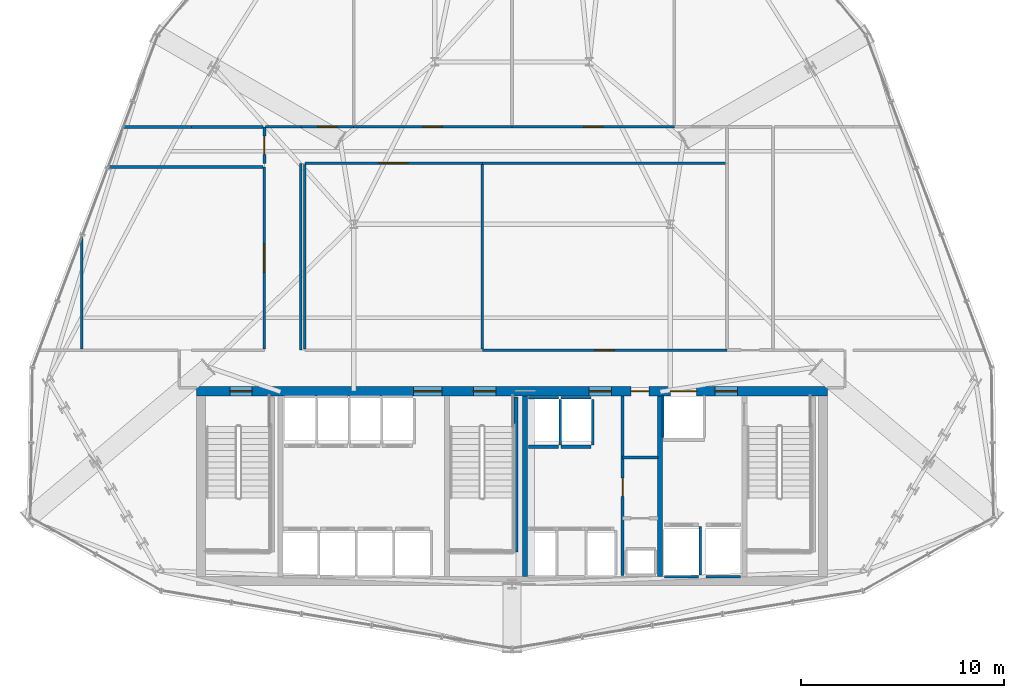
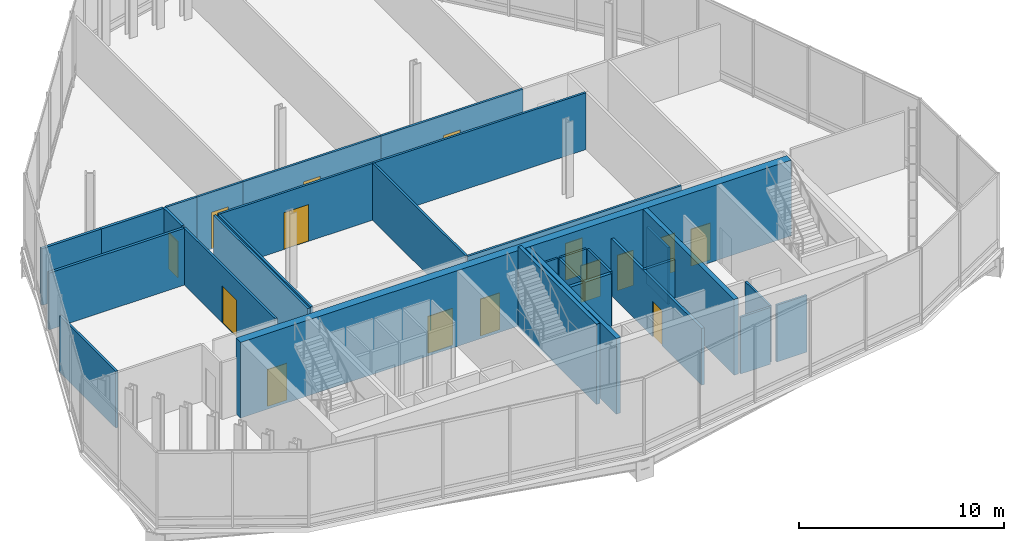
# One storey, part 22 of 26: 32 walls, 15 doors, 15 openings.
"""IFC4 building model written with IfcOpenShell, lengths in metres."""

from ifc_helpers import new_model, si_unit, direction, frame, frame_2d, origin, place, context, subcontext, project, spatial, rectangle, extrude, material, layer, layer_set, type_object, element, fill, save


model = new_model("IFC4")

# Units and contexts
model_context = context("Model", 3, precision=1e-05, world=origin(), true_north=direction((0.0, 1.0)))
body_context = subcontext(model_context, "Body", "Model", "MODEL_VIEW")
ifc_project = project(units=[si_unit("LENGTHUNIT", "METRE"), si_unit("AREAUNIT", "SQUARE_METRE"), si_unit("VOLUMEUNIT", "CUBIC_METRE"), si_unit("PLANEANGLEUNIT", "RADIAN"), si_unit("MASSUNIT", "GRAM", prefix="KILO")], contexts=[model_context])

# Site, building, storey
site_placement = place(None, origin())
site = spatial("IfcSite", under=ifc_project, at=site_placement, CompositionType="ELEMENT")
building_placement = place(site_placement, origin())
building = spatial("IfcBuilding", under=site, at=building_placement, Name="Ndaravel Arena Tower", CompositionType="ELEMENT")
storey_placement = place(building_placement, frame((0.0, 0.0, 117.39990234375)))
storey = spatial("IfcBuildingStorey", under=building, at=storey_placement, Name="L27", CompositionType="ELEMENT", Elevation=117.39990234375)

# Wall, opening, door
ifc_material_1 = material(Name="Gypsum", Category="gypsum")
ifc_layer_1 = layer(ifc_material_1, 0.14990234375)
ifc_layer_set_1 = layer_set([ifc_layer_1], Name="Gypsum")
wall_type_1 = type_object("IfcWallType", Name="WALL-COMP-150", PredefinedType="PARTITIONING", material=ifc_layer_set_1)
wall_1_placement = place(storey_placement, frame((47.449951171875, 5.89990234375, 0.0), z_axis=(0.0, 0.0, 1.0), x_axis=(0.0, 1.0, 0.0)))
wall_1 = element("IfcWall", 1, at=wall_1_placement, inside=storey, type_object=wall_type_1, Name="L27 Core Riser Bay Partition", PredefinedType="PARTITIONING", context=body_context, shape_type="SweptSolid", body=[
    extrude(rectangle(XDim=8.85009765625, YDim=0.14990234375, at=frame_2d((4.425048828125, 0.0))), origin(), (0.0, 0.0, 1.0), 3.39013671875),
])
opening_1_placement = place(wall_1_placement, frame((3.89990234375, 0.0, 0.0)))
opening_1 = element("IfcOpeningElement", 2, at=opening_1_placement, cuts=wall_1, Name="Opening RD-01", PredefinedType="OPENING", context=body_context, shape_type="SweptSolid", body=[
    extrude(rectangle(XDim=0.89990234375, YDim=2.10009765625, at=frame_2d((0.449951171875, 1.050048828125))), frame((0.0, 0.074951171875, 0.0), z_axis=(0.0, -1.0, 0.0), x_axis=(1.0, 0.0, 0.0)), (0.0, 0.0, 1.0), 0.14990234375),
])
ifc_material_2 = material(Name="Steel S355", Category="steel")
door_type_1 = type_object("IfcDoorType", Name="DT-08-RISER-900", OperationType="SINGLE_SWING_LEFT", PredefinedType="DOOR", material=ifc_material_2)
door_1_placement = place(opening_1_placement, origin())
door_1 = element("IfcDoor", 3, at=door_1_placement, inside=storey, type_object=door_type_1, Name="L27 Plumbing Riser Door", OperationType="SINGLE_SWING_LEFT", OverallHeight=2.10009765625, OverallWidth=0.89990234375, PredefinedType="DOOR", context=body_context, shape_type="SweptSolid", body=[
    extrude(rectangle(XDim=0.89990234375, YDim=2.10009765625, at=frame_2d((0.449951171875, 1.050048828125))), frame((0.0, 0.02490234375, 0.0), z_axis=(0.0, -1.0, 0.0), x_axis=(1.0, 0.0, 0.0)), (0.0, 0.0, 1.0), 0.050048828125),
])
fill(opening_1, door_1)

# Walls
wall_2_placement = place(storey_placement, frame((47.449951171875, 11.719970703125, 0.0), z_axis=(0.0, 0.0, 1.0), x_axis=(1.0, 0.0, 0.0)))
element("IfcWall", 4, at=wall_2_placement, inside=storey, type_object=wall_type_1, Name="L27 Core Riser Divider 2", PredefinedType="PARTITIONING", context=body_context, shape_type="SweptSolid", body=[
    extrude(rectangle(XDim=1.72998046875, YDim=0.14990234375, at=frame_2d((0.864990234375, 0.0))), origin(), (0.0, 0.0, 1.0), 3.39013671875),
])
ifc_material_3 = material(Name="Concrete C60/75", Category="concrete")
ifc_layer_2 = layer(ifc_material_3, 0.25)
ifc_layer_set_2 = layer_set([ifc_layer_2], Name="Concrete C60/75")
wall_type_2 = type_object("IfcWallType", Name="WALL-CORE-250", PredefinedType="SOLIDWALL", material=ifc_layer_set_2)
for number, where, z_axis, x_axis, name in (
    (5, (42.64990234375, 5.85009765625, 0.0), (0.0, 0.0, 1.0), (0.0, 1.0, 0.0), "L27 Core Web Shear Wall 3"),
    (6, (49.300048828125, 5.85009765625, 0.0), (0.0, 0.0, 1.0), (0.0, 1.0, 0.0), "L27 Core Web Shear Wall 4"),
):
    element("IfcWall", number, at=place(storey_placement, frame(where, z_axis=z_axis, x_axis=x_axis)), inside=storey, type_object=wall_type_2, Name=name, PredefinedType="SOLIDWALL", context=body_context, shape_type="SweptSolid", body=[
        extrude(rectangle(XDim=8.89990234375, YDim=0.25, at=frame_2d((4.449951171875, 0.0))), origin(), (0.0, 0.0, 1.0), 4.52001953125),
    ])

# Wall, openings, doors
ifc_material_4 = material(Name="Concrete C60/75", Category="concrete")
ifc_layer_3 = layer(ifc_material_4, 0.449951171875)
ifc_layer_set_3 = layer_set([ifc_layer_3], Name="Concrete C60/75")
wall_type_3 = type_object("IfcWallType", Name="WALL-CORE-450", PredefinedType="SOLIDWALL", material=ifc_layer_set_3)
wall_3_placement = place(storey_placement, frame((26.449951171875, 14.97509765625, 0.0), z_axis=(0.0, 0.0, 1.0), x_axis=(1.0, 0.0, 0.0)))
wall_3 = element("IfcWall", 7, at=wall_3_placement, inside=storey, type_object=wall_type_3, Name="L27 Core North Shear Wall", PredefinedType="SOLIDWALL", context=body_context, shape_type="SweptSolid", body=[
    extrude(rectangle(XDim=31.10009765625, YDim=0.449951171875, at=frame_2d((15.550048828125, 0.0))), origin(), (0.0, 0.0, 1.0), 4.52001953125),
])
opening_2_placement = place(wall_3_placement, frame((1.64990234375, 0.0, 0.0)))
opening_2 = element("IfcOpeningElement", 8, at=opening_2_placement, cuts=wall_3, Name="Opening FD-01", PredefinedType="OPENING", context=body_context, shape_type="SweptSolid", body=[
    extrude(rectangle(XDim=1.10009765625, YDim=2.199951171875, at=frame_2d((0.550048828125, 1.10009765625))), frame((0.0, 0.22509765625, 0.0), z_axis=(0.0, -1.0, 0.0), x_axis=(1.0, 0.0, 0.0)), (0.0, 0.0, 1.0), 0.449951171875),
])
opening_3_placement = place(wall_3_placement, frame((13.64990234375, 0.0, 0.0)))
opening_3 = element("IfcOpeningElement", 9, at=opening_3_placement, cuts=wall_3, Name="Opening FD-01", PredefinedType="OPENING", context=body_context, shape_type="SweptSolid", body=[
    extrude(rectangle(XDim=1.10009765625, YDim=2.199951171875, at=frame_2d((0.550048828125, 1.10009765625))), frame((0.0, 0.22509765625, 0.0), z_axis=(0.0, -1.0, 0.0), x_axis=(1.0, 0.0, 0.0)), (0.0, 0.0, 1.0), 0.449951171875),
])
opening_4_placement = place(wall_3_placement, frame((25.550048828125, 0.0, 0.0)))
opening_4 = element("IfcOpeningElement", 10, at=opening_4_placement, cuts=wall_3, Name="Opening FD-01", PredefinedType="OPENING", context=body_context, shape_type="SweptSolid", body=[
    extrude(rectangle(XDim=1.10009765625, YDim=2.199951171875, at=frame_2d((0.550048828125, 1.10009765625))), frame((0.0, 0.22509765625, 0.0), z_axis=(0.0, -1.0, 0.0), x_axis=(1.0, 0.0, 0.0)), (0.0, 0.0, 1.0), 0.449951171875),
])
opening_5_placement = place(wall_3_placement, frame((10.699951171875, 0.0, 0.0)))
opening_5 = element("IfcOpeningElement", 11, at=opening_5_placement, cuts=wall_3, Name="Opening ID-02", PredefinedType="OPENING", context=body_context, shape_type="SweptSolid", body=[
    extrude(rectangle(XDim=1.39990234375, YDim=2.199951171875, at=frame_2d((0.699951171875, 1.10009765625))), frame((0.0, 0.22509765625, 0.0), z_axis=(0.0, -1.0, 0.0), x_axis=(1.0, 0.0, 0.0)), (0.0, 0.0, 1.0), 0.449951171875),
])
opening_6_placement = place(wall_3_placement, frame((19.35009765625, 0.0, 0.0)))
opening_6 = element("IfcOpeningElement", 12, at=opening_6_placement, cuts=wall_3, Name="Opening FD-01", PredefinedType="OPENING", context=body_context, shape_type="SweptSolid", body=[
    extrude(rectangle(XDim=1.10009765625, YDim=2.199951171875, at=frame_2d((0.550048828125, 1.10009765625))), frame((0.0, 0.22509765625, 0.0), z_axis=(0.0, -1.0, 0.0), x_axis=(1.0, 0.0, 0.0)), (0.0, 0.0, 1.0), 0.449951171875),
])
opening_7_placement = place(wall_3_placement, frame((21.39990234375, 0.0, 0.0)))
opening_7 = element("IfcOpeningElement", 13, at=opening_7_placement, cuts=wall_3, Name="Opening RD-01", PredefinedType="OPENING", context=body_context, shape_type="SweptSolid", body=[
    extrude(rectangle(XDim=0.89990234375, YDim=2.10009765625, at=frame_2d((0.449951171875, 1.050048828125))), frame((0.0, 0.22509765625, 0.0), z_axis=(0.0, -1.0, 0.0), x_axis=(1.0, 0.0, 0.0)), (0.0, 0.0, 1.0), 0.449951171875),
])
opening_8_placement = place(wall_3_placement, frame((23.35009765625, 0.0, 0.0)))
opening_8 = element("IfcOpeningElement", 14, at=opening_8_placement, cuts=wall_3, Name="Opening LD-02", PredefinedType="OPENING", context=body_context, shape_type="SweptSolid", body=[
    extrude(rectangle(XDim=1.300048828125, YDim=2.300048828125, at=frame_2d((0.64990234375, 1.14990234375))), frame((0.0, 0.22509765625, 0.0), z_axis=(0.0, -1.0, 0.0), x_axis=(1.0, 0.0, 0.0)), (0.0, 0.0, 1.0), 0.449951171875),
])
ifc_material_5 = material(Name="Steel S355", Category="steel")
door_type_2 = type_object("IfcDoorType", Name="DT-01-STAIR-1100", OperationType="SINGLE_SWING_LEFT", PredefinedType="DOOR", material=ifc_material_5)
door_2_placement = place(opening_2_placement, origin())
door_2 = element("IfcDoor", 15, at=door_2_placement, inside=storey, type_object=door_type_2, Name="L27 Exit Stair ST-1 Door", OperationType="SINGLE_SWING_RIGHT", OverallHeight=2.199951171875, OverallWidth=1.10009765625, PredefinedType="DOOR", context=body_context, shape_type="SweptSolid", body=[
    extrude(rectangle(XDim=1.10009765625, YDim=2.199951171875, at=frame_2d((0.550048828125, 1.10009765625))), frame((0.0, 0.02490234375, 0.0), z_axis=(0.0, -1.0, 0.0), x_axis=(1.0, 0.0, 0.0)), (0.0, 0.0, 1.0), 0.050048828125),
])
fill(opening_2, door_2)
door_3_placement = place(opening_3_placement, origin())
door_3 = element("IfcDoor", 16, at=door_3_placement, inside=storey, type_object=door_type_2, Name="L27 Exit Stair ST-2 Door", OperationType="SINGLE_SWING_LEFT", OverallHeight=2.199951171875, OverallWidth=1.10009765625, PredefinedType="DOOR", context=body_context, shape_type="SweptSolid", body=[
    extrude(rectangle(XDim=1.10009765625, YDim=2.199951171875, at=frame_2d((0.550048828125, 1.10009765625))), frame((0.0, 0.02490234375, 0.0), z_axis=(0.0, -1.0, 0.0), x_axis=(1.0, 0.0, 0.0)), (0.0, 0.0, 1.0), 0.050048828125),
])
fill(opening_3, door_3)
door_4_placement = place(opening_4_placement, origin())
door_4 = element("IfcDoor", 17, at=door_4_placement, inside=storey, type_object=door_type_2, Name="L27 Firefighting Lift Lobby Door", OperationType="SINGLE_SWING_RIGHT", OverallHeight=2.199951171875, OverallWidth=1.10009765625, PredefinedType="DOOR", context=body_context, shape_type="SweptSolid", body=[
    extrude(rectangle(XDim=1.10009765625, YDim=2.199951171875, at=frame_2d((0.550048828125, 1.10009765625))), frame((0.0, 0.02490234375, 0.0), z_axis=(0.0, -1.0, 0.0), x_axis=(1.0, 0.0, 0.0)), (0.0, 0.0, 1.0), 0.050048828125),
])
fill(opening_4, door_4)
door_5_placement = place(opening_6_placement, origin())
door_5 = element("IfcDoor", 18, at=door_5_placement, inside=storey, type_object=door_type_2, Name="L27 Express Lift Lobby Entry Door", OperationType="SINGLE_SWING_LEFT", OverallHeight=2.199951171875, OverallWidth=1.10009765625, PredefinedType="DOOR", context=body_context, shape_type="SweptSolid", body=[
    extrude(rectangle(XDim=1.10009765625, YDim=2.199951171875, at=frame_2d((0.550048828125, 1.10009765625))), frame((0.0, 0.02490234375, 0.0), z_axis=(0.0, -1.0, 0.0), x_axis=(1.0, 0.0, 0.0)), (0.0, 0.0, 1.0), 0.050048828125),
])
fill(opening_6, door_5)
ifc_material_6 = material(Name="Timber", Category="wood")
door_type_3 = type_object("IfcDoorType", Name="DT-04-SUITE-1400", OperationType="DOUBLE_DOOR_SINGLE_SWING", PredefinedType="DOOR", material=ifc_material_6)
door_6_placement = place(opening_5_placement, origin())
door_6 = element("IfcDoor", 19, at=door_6_placement, inside=storey, type_object=door_type_3, Name="L27 West Lift Lobby Entry Door", OperationType="DOUBLE_DOOR_SINGLE_SWING", OverallHeight=2.199951171875, OverallWidth=1.39990234375, PredefinedType="DOOR", context=body_context, shape_type="SweptSolid", body=[
    extrude(rectangle(XDim=1.39990234375, YDim=2.199951171875, at=frame_2d((0.699951171875, 1.10009765625))), frame((0.0, 0.02490234375, 0.0), z_axis=(0.0, -1.0, 0.0), x_axis=(1.0, 0.0, 0.0)), (0.0, 0.0, 1.0), 0.050048828125),
])
fill(opening_5, door_6)
ifc_material_7 = material(Name="Steel S355", Category="steel")
door_type_4 = type_object("IfcDoorType", Name="DT-07-SVLIFT-1300", OperationType="DOUBLE_DOOR_SLIDING", PredefinedType="DOOR", material=ifc_material_7)
door_7_placement = place(opening_8_placement, origin())
door_7 = element("IfcDoor", 20, at=door_7_placement, inside=storey, type_object=door_type_4, Name="L27 Lift SVL-1 Sliding Landing Door", OperationType="DOUBLE_DOOR_SLIDING", OverallHeight=2.300048828125, OverallWidth=1.300048828125, PredefinedType="DOOR", context=body_context, shape_type="SweptSolid", body=[
    extrude(rectangle(XDim=1.300048828125, YDim=2.300048828125, at=frame_2d((0.64990234375, 1.14990234375))), frame((0.0, 0.02490234375, 0.0), z_axis=(0.0, -1.0, 0.0), x_axis=(1.0, 0.0, 0.0)), (0.0, 0.0, 1.0), 0.050048828125),
])
fill(opening_8, door_7)
door_8_placement = place(opening_7_placement, origin())
door_8 = element("IfcDoor", 21, at=door_8_placement, inside=storey, type_object=door_type_1, Name="L27 Core Service Riser North Door", OperationType="SINGLE_SWING_LEFT", OverallHeight=2.10009765625, OverallWidth=0.89990234375, PredefinedType="DOOR", context=body_context, shape_type="SweptSolid", body=[
    extrude(rectangle(XDim=0.89990234375, YDim=2.10009765625, at=frame_2d((0.449951171875, 1.050048828125))), frame((0.0, 0.02490234375, 0.0), z_axis=(0.0, -1.0, 0.0), x_axis=(1.0, 0.0, 0.0)), (0.0, 0.0, 1.0), 0.050048828125),
])
fill(opening_7, door_8)

# Wall, opening, door
ifc_material_8 = material(Name="Gypsum", Category="gypsum")
ifc_layer_4 = layer(ifc_material_8, 0.125)
ifc_layer_set_4 = layer_set([ifc_layer_4], Name="Gypsum")
wall_type_4 = type_object("IfcWallType", Name="WALL-PART-125", PredefinedType="PARTITIONING", material=ifc_layer_set_4)
wall_4_placement = place(storey_placement, frame((29.800048828125, 17.06494140625, 0.0), z_axis=(0.0, 0.0, 1.0), x_axis=(0.0, 1.0, 0.0)))
wall_4 = element("IfcWall", 22, at=wall_4_placement, inside=storey, type_object=wall_type_4, Name="L27 Interior Partition 006", PredefinedType="PARTITIONING", context=body_context, shape_type="SweptSolid", body=[
    extrude(rectangle(XDim=8.955078125, YDim=0.125, at=frame_2d((4.4775390625, 0.0))), origin(), (0.0, 0.0, 1.0), 3.39013671875),
])
opening_9_placement = place(wall_4_placement, frame((3.777587890625, 0.0, 0.0)))
opening_9 = element("IfcOpeningElement", 23, at=opening_9_placement, cuts=wall_4, Name="Opening ID-02", PredefinedType="OPENING", context=body_context, shape_type="SweptSolid", body=[
    extrude(rectangle(XDim=1.39990234375, YDim=2.199951171875, at=frame_2d((0.699951171875, 1.10009765625))), frame((0.0, 0.0625, 0.0), z_axis=(0.0, -1.0, 0.0), x_axis=(1.0, 0.0, 0.0)), (0.0, 0.0, 1.0), 0.125),
])
door_9_placement = place(opening_9_placement, origin())
door_9 = element("IfcDoor", 24, at=door_9_placement, inside=storey, type_object=door_type_3, Name="L27 Collaborative Lounge Door", OperationType="SINGLE_SWING_RIGHT", OverallHeight=2.199951171875, OverallWidth=1.39990234375, PredefinedType="DOOR", context=body_context, shape_type="SweptSolid", body=[
    extrude(rectangle(XDim=1.39990234375, YDim=2.199951171875, at=frame_2d((0.699951171875, 1.10009765625))), frame((0.0, 0.02490234375, 0.0), z_axis=(0.0, -1.0, 0.0), x_axis=(1.0, 0.0, 0.0)), (0.0, 0.0, 1.0), 0.050048828125),
])
fill(opening_9, door_9)

# Wall
wall_5_placement = place(storey_placement, frame((29.864990234375, 28.0, 0.0), z_axis=(0.0, 0.0, 1.0), x_axis=(1.0, 0.0, 0.0)))
element("IfcWall", 25, at=wall_5_placement, inside=storey, type_object=wall_type_4, Name="L27 Interior Partition 008", PredefinedType="PARTITIONING", context=body_context, shape_type="SweptSolid", body=[
    extrude(rectangle(XDim=1.735107421875, YDim=0.125, at=frame_2d((0.86767578125, 0.0))), origin(), (0.0, 0.0, 1.0), 3.39013671875),
])

# Wall, opening, door
wall_6_placement = place(storey_placement, frame((31.60009765625, 28.0, 0.0), z_axis=(0.0, 0.0, 1.0), x_axis=(1.0, 0.0, 0.0)))
wall_6 = element("IfcWall", 26, at=wall_6_placement, inside=storey, type_object=wall_type_4, Name="L27 Interior Partition 009", PredefinedType="PARTITIONING", context=body_context, shape_type="SweptSolid", body=[
    extrude(rectangle(XDim=2.599853515625, YDim=0.125, at=frame_2d((1.2998046875, 0.0))), origin(), (0.0, 0.0, 1.0), 3.39013671875),
])
opening_10_placement = place(wall_6_placement, frame((0.824951171875, 0.0, 0.0)))
opening_10 = element("IfcOpeningElement", 27, at=opening_10_placement, cuts=wall_6, Name="Opening ID-01", PredefinedType="OPENING", context=body_context, shape_type="SweptSolid", body=[
    extrude(rectangle(XDim=0.949951171875, YDim=2.199951171875, at=frame_2d((0.47509765625, 1.10009765625))), frame((0.0, 0.0625, 0.0), z_axis=(0.0, -1.0, 0.0), x_axis=(1.0, 0.0, 0.0)), (0.0, 0.0, 1.0), 0.125),
])
ifc_material_9 = material(Name="Timber", Category="wood")
door_type_5 = type_object("IfcDoorType", Name="DT-03-OFFICE-950", OperationType="SINGLE_SWING_LEFT", PredefinedType="DOOR", material=ifc_material_9)
door_10_placement = place(opening_10_placement, origin())
door_10 = element("IfcDoor", 28, at=door_10_placement, inside=storey, type_object=door_type_5, Name="L27 Facilities Operations Room 3 Door", OperationType="SINGLE_SWING_LEFT", OverallHeight=2.199951171875, OverallWidth=0.949951171875, PredefinedType="DOOR", context=body_context, shape_type="SweptSolid", body=[
    extrude(rectangle(XDim=0.949951171875, YDim=2.199951171875, at=frame_2d((0.47509765625, 1.10009765625))), frame((0.0, 0.02490234375, 0.0), z_axis=(0.0, -1.0, 0.0), x_axis=(1.0, 0.0, 0.0)), (0.0, 0.0, 1.0), 0.050048828125),
])
fill(opening_10, door_10)

wall_7_placement = place(storey_placement, frame((34.199951171875, 28.0, 0.0), z_axis=(0.0, 0.0, 1.0), x_axis=(1.0, 0.0, 0.0)))
wall_7 = element("IfcWall", 29, at=wall_7_placement, inside=storey, type_object=wall_type_4, Name="L27 Interior Partition 010", PredefinedType="PARTITIONING", context=body_context, shape_type="SweptSolid", body=[
    extrude(rectangle(XDim=7.800048828125, YDim=0.125, at=frame_2d((3.89990234375, 0.0))), origin(), (0.0, 0.0, 1.0), 3.39013671875),
])
opening_11_placement = place(wall_7_placement, frame((3.425048828125, 0.0, 0.0)))
opening_11 = element("IfcOpeningElement", 30, at=opening_11_placement, cuts=wall_7, Name="Opening ID-01", PredefinedType="OPENING", context=body_context, shape_type="SweptSolid", body=[
    extrude(rectangle(XDim=0.949951171875, YDim=2.199951171875, at=frame_2d((0.47509765625, 1.10009765625))), frame((0.0, 0.0625, 0.0), z_axis=(0.0, -1.0, 0.0), x_axis=(1.0, 0.0, 0.0)), (0.0, 0.0, 1.0), 0.125),
])
door_11_placement = place(opening_11_placement, origin())
door_11 = element("IfcDoor", 31, at=door_11_placement, inside=storey, type_object=door_type_5, Name="L27 Crew Support Room 4 Door", OperationType="SINGLE_SWING_LEFT", OverallHeight=2.199951171875, OverallWidth=0.949951171875, PredefinedType="DOOR", context=body_context, shape_type="SweptSolid", body=[
    extrude(rectangle(XDim=0.949951171875, YDim=2.199951171875, at=frame_2d((0.47509765625, 1.10009765625))), frame((0.0, 0.02490234375, 0.0), z_axis=(0.0, -1.0, 0.0), x_axis=(1.0, 0.0, 0.0)), (0.0, 0.0, 1.0), 0.050048828125),
])
fill(opening_11, door_11)

wall_8_placement = place(storey_placement, frame((42.0, 28.0, 0.0), z_axis=(0.0, 0.0, 1.0), x_axis=(1.0, 0.0, 0.0)))
wall_8 = element("IfcWall", 32, at=wall_8_placement, inside=storey, type_object=wall_type_4, Name="L27 Interior Partition 011", PredefinedType="PARTITIONING", context=body_context, shape_type="SweptSolid", body=[
    extrude(rectangle(XDim=8.0, YDim=0.125, at=frame_2d((4.0, 0.0))), origin(), (0.0, 0.0, 1.0), 3.39013671875),
])
opening_12_placement = place(wall_8_placement, frame((3.52490234375, 0.0, 0.0)))
opening_12 = element("IfcOpeningElement", 33, at=opening_12_placement, cuts=wall_8, Name="Opening ID-01", PredefinedType="OPENING", context=body_context, shape_type="SweptSolid", body=[
    extrude(rectangle(XDim=0.949951171875, YDim=2.199951171875, at=frame_2d((0.47509765625, 1.10009765625))), frame((0.0, 0.0625, 0.0), z_axis=(0.0, -1.0, 0.0), x_axis=(1.0, 0.0, 0.0)), (0.0, 0.0, 1.0), 0.125),
])
door_12_placement = place(opening_12_placement, origin())
door_12 = element("IfcDoor", 34, at=door_12_placement, inside=storey, type_object=door_type_5, Name="L27 Executive Corner Office 4 Door", OperationType="SINGLE_SWING_RIGHT", OverallHeight=2.199951171875, OverallWidth=0.949951171875, PredefinedType="DOOR", context=body_context, shape_type="SweptSolid", body=[
    extrude(rectangle(XDim=0.949951171875, YDim=2.199951171875, at=frame_2d((0.47509765625, 1.10009765625))), frame((0.0, 0.02490234375, 0.0), z_axis=(0.0, -1.0, 0.0), x_axis=(1.0, 0.0, 0.0)), (0.0, 0.0, 1.0), 0.050048828125),
])
fill(opening_12, door_12)

# Wall
wall_9_placement = place(storey_placement, frame((52.534912109375, 26.199951171875, 0.0), z_axis=(0.0, 0.0, 1.0), x_axis=(-1.0, 0.0, 0.0)))
element("IfcWall", 35, at=wall_9_placement, inside=storey, type_object=wall_type_4, Name="L27 Interior Partition 014", PredefinedType="PARTITIONING", context=body_context, shape_type="SweptSolid", body=[
    extrude(rectangle(XDim=11.9990234375, YDim=0.125, at=frame_2d((5.99951171875, 0.0))), origin(), (0.0, 0.0, 1.0), 3.39013671875),
])

# Wall, opening, door
wall_10_placement = place(storey_placement, frame((40.535888671875, 26.199951171875, 0.0), z_axis=(0.0, 0.0, 1.0), x_axis=(-1.0, 0.0, 0.0)))
wall_10 = element("IfcWall", 36, at=wall_10_placement, inside=storey, type_object=wall_type_4, Name="L27 Interior Partition 015", PredefinedType="PARTITIONING", context=body_context, shape_type="SweptSolid", body=[
    extrude(rectangle(XDim=8.73583984375, YDim=0.125, at=frame_2d((4.367919921875, 0.0))), origin(), (0.0, 0.0, 1.0), 3.39013671875),
])
opening_13_placement = place(wall_10_placement, frame((3.66796875, 0.0, 0.0)))
opening_13 = element("IfcOpeningElement", 37, at=opening_13_placement, cuts=wall_10, Name="Opening ID-02", PredefinedType="OPENING", context=body_context, shape_type="SweptSolid", body=[
    extrude(rectangle(XDim=1.39990234375, YDim=2.199951171875, at=frame_2d((0.699951171875, 1.10009765625))), frame((0.0, 0.0625, 0.0), z_axis=(0.0, -1.0, 0.0), x_axis=(1.0, 0.0, 0.0)), (0.0, 0.0, 1.0), 0.125),
])
door_13_placement = place(opening_13_placement, origin())
door_13 = element("IfcDoor", 38, at=door_13_placement, inside=storey, type_object=door_type_3, Name="L27 Visitor Reception Desk Door", OperationType="SINGLE_SWING_LEFT", OverallHeight=2.199951171875, OverallWidth=1.39990234375, PredefinedType="DOOR", context=body_context, shape_type="SweptSolid", body=[
    extrude(rectangle(XDim=1.39990234375, YDim=2.199951171875, at=frame_2d((0.699951171875, 1.10009765625))), frame((0.0, 0.02490234375, 0.0), z_axis=(0.0, -1.0, 0.0), x_axis=(1.0, 0.0, 0.0)), (0.0, 0.0, 1.0), 0.050048828125),
])
fill(opening_13, door_13)

# Wall
wall_11_placement = place(storey_placement, frame((31.60009765625, 26.199951171875, 0.0), z_axis=(0.0, 0.0, 1.0), x_axis=(0.0, -1.0, 0.0)))
element("IfcWall", 39, at=wall_11_placement, inside=storey, type_object=wall_type_4, Name="L27 Interior Partition 016", PredefinedType="PARTITIONING", context=body_context, shape_type="SweptSolid", body=[
    extrude(rectangle(XDim=9.199951171875, YDim=0.125, at=frame_2d((4.60009765625, 0.0))), origin(), (0.0, 0.0, 1.0), 3.39013671875),
])

# Wall, opening, door
wall_12_placement = place(storey_placement, frame((40.535888671875, 17.0, 0.0), z_axis=(0.0, 0.0, 1.0), x_axis=(1.0, 0.0, 0.0)))
wall_12 = element("IfcWall", 40, at=wall_12_placement, inside=storey, type_object=wall_type_4, Name="L27 Interior Partition 018", PredefinedType="PARTITIONING", context=body_context, shape_type="SweptSolid", body=[
    extrude(rectangle(XDim=12.064208984375, YDim=0.125, at=frame_2d((6.0322265625, 0.0))), origin(), (0.0, 0.0, 1.0), 3.39013671875),
])
opening_14_placement = place(wall_12_placement, frame((5.556884765625, 0.0, 0.0)))
opening_14 = element("IfcOpeningElement", 41, at=opening_14_placement, cuts=wall_12, Name="Opening ID-01", PredefinedType="OPENING", context=body_context, shape_type="SweptSolid", body=[
    extrude(rectangle(XDim=0.949951171875, YDim=2.199951171875, at=frame_2d((0.47509765625, 1.10009765625))), frame((0.0, 0.0625, 0.0), z_axis=(0.0, -1.0, 0.0), x_axis=(1.0, 0.0, 0.0)), (0.0, 0.0, 1.0), 0.125),
])
door_14_placement = place(opening_14_placement, origin())
door_14 = element("IfcDoor", 42, at=door_14_placement, inside=storey, type_object=door_type_5, Name="L27 Cellular Partner Office 2 Door", OperationType="SINGLE_SWING_RIGHT", OverallHeight=2.199951171875, OverallWidth=0.949951171875, PredefinedType="DOOR", context=body_context, shape_type="SweptSolid", body=[
    extrude(rectangle(XDim=0.949951171875, YDim=2.199951171875, at=frame_2d((0.47509765625, 1.10009765625))), frame((0.0, 0.02490234375, 0.0), z_axis=(0.0, -1.0, 0.0), x_axis=(1.0, 0.0, 0.0)), (0.0, 0.0, 1.0), 0.050048828125),
])
fill(opening_14, door_14)

# Walls
wall_13_placement = place(storey_placement, frame((20.800048828125, 17.06494140625, 0.0), z_axis=(0.0, 0.0, 1.0), x_axis=(0.0, 1.0, 0.0)))
element("IfcWall", 43, at=wall_13_placement, inside=storey, type_object=wall_type_4, Name="L27 Interior Partition 025", PredefinedType="PARTITIONING", context=body_context, shape_type="SweptSolid", body=[
    extrude(rectangle(XDim=5.490234375, YDim=0.125, at=frame_2d((2.7451171875, 0.0))), origin(), (0.0, 0.0, 1.0), 3.39013671875),
])
for number, where, z_axis, x_axis, name in (
    (44, (40.535888671875, 26.135009765625, 0.0), (0.0, 0.0, 1.0), (0.0, -1.0, 0.0), "L27 Interior Partition 026"),
    (45, (31.800048828125, 17.06494140625, 0.0), (0.0, 0.0, 1.0), (0.0, 1.0, 0.0), "L27 Interior Partition 027"),
):
    element("IfcWall", number, at=place(storey_placement, frame(where, z_axis=z_axis, x_axis=x_axis)), inside=storey, type_object=wall_type_4, Name=name, PredefinedType="PARTITIONING", context=body_context, shape_type="SweptSolid", body=[
        extrude(rectangle(XDim=9.070068359375, YDim=0.125, at=frame_2d((4.53515625, 0.0))), origin(), (0.0, 0.0, 1.0), 3.39013671875),
    ])
ifc_material_10 = material(Name="Concrete C40/50", Category="concrete")
ifc_layer_5 = layer(ifc_material_10, 0.1201171875)
ifc_layer_set_5 = layer_set([ifc_layer_5], Name="Concrete C40/50")
wall_type_5 = type_object("IfcWallType", Name="WALL-SHAFT-120", PredefinedType="SOLIDWALL", material=ifc_layer_set_5)
wall_14_placement = place(storey_placement, frame((42.804931640625, 14.659912109375, 0.0), z_axis=(0.0, 0.0, 1.0), x_axis=(1.0, 0.0, 0.0)))
element("IfcWall", 46, at=wall_14_placement, inside=storey, type_object=wall_type_5, Name="L27 PL-OBS1 Shaft Rear Wall", PredefinedType="SOLIDWALL", context=body_context, shape_type="SweptSolid", body=[
    extrude(rectangle(XDim=1.489990234375, YDim=0.1201171875, at=frame_2d((0.7451171875, 0.0))), origin(), (0.0, 0.0, 1.0), 3.39013671875),
])
wall_15_placement = place(storey_placement, frame((44.375, 12.340087890625, 0.0), z_axis=(0.0, 0.0, 1.0), x_axis=(0.0, 1.0, 0.0)))
element("IfcWall", 47, at=wall_15_placement, inside=storey, type_object=wall_type_5, Name="L27 PL-OBS1 Shaft Side R Wall", PredefinedType="SOLIDWALL", context=body_context, shape_type="SweptSolid", body=[
    extrude(rectangle(XDim=2.22998046875, YDim=0.1201171875, at=frame_2d((1.114990234375, 0.0))), origin(), (0.0, 0.0, 1.0), 3.39013671875),
])
wall_16_placement = place(storey_placement, frame((44.405029296875, 14.659912109375, 0.0), z_axis=(0.0, 0.0, 1.0), x_axis=(1.0, 0.0, 0.0)))
element("IfcWall", 48, at=wall_16_placement, inside=storey, type_object=wall_type_5, Name="L27 PL-OBS2 Shaft Rear Wall", PredefinedType="SOLIDWALL", context=body_context, shape_type="SweptSolid", body=[
    extrude(rectangle(XDim=1.489990234375, YDim=0.1201171875, at=frame_2d((0.7451171875, 0.0))), origin(), (0.0, 0.0, 1.0), 3.39013671875),
])
wall_17_placement = place(storey_placement, frame((45.97509765625, 12.340087890625, 0.0), z_axis=(0.0, 0.0, 1.0), x_axis=(0.0, 1.0, 0.0)))
element("IfcWall", 49, at=wall_17_placement, inside=storey, type_object=wall_type_5, Name="L27 PL-OBS2 Shaft Side R Wall", PredefinedType="SOLIDWALL", context=body_context, shape_type="SweptSolid", body=[
    extrude(rectangle(XDim=2.22998046875, YDim=0.1201171875, at=frame_2d((1.114990234375, 0.0))), origin(), (0.0, 0.0, 1.0), 3.39013671875),
])
wall_18_placement = place(storey_placement, frame((49.5048828125, 5.840087890625, 0.0), z_axis=(0.0, 0.0, 1.0), x_axis=(1.0, 0.0, 0.0)))
element("IfcWall", 50, at=wall_18_placement, inside=storey, type_object=wall_type_5, Name="L27 FFL-1 Shaft Rear Wall", PredefinedType="SOLIDWALL", context=body_context, shape_type="SweptSolid", body=[
    extrude(rectangle(XDim=1.690185546875, YDim=0.1201171875, at=frame_2d((0.84521484375, 0.0))), origin(), (0.0, 0.0, 1.0), 3.39013671875),
])
wall_19_placement = place(storey_placement, frame((51.27490234375, 5.929931640625, 0.0), z_axis=(0.0, 0.0, 1.0), x_axis=(0.0, 1.0, 0.0)))
element("IfcWall", 51, at=wall_19_placement, inside=storey, type_object=wall_type_5, Name="L27 FFL-1 Shaft Side R Wall", PredefinedType="SOLIDWALL", context=body_context, shape_type="SweptSolid", body=[
    extrude(rectangle(XDim=2.380126953125, YDim=0.1201171875, at=frame_2d((1.18994140625, 0.0))), origin(), (0.0, 0.0, 1.0), 3.39013671875),
])
wall_20_placement = place(storey_placement, frame((51.554931640625, 5.840087890625, 0.0), z_axis=(0.0, 0.0, 1.0), x_axis=(1.0, 0.0, 0.0)))
element("IfcWall", 52, at=wall_20_placement, inside=storey, type_object=wall_type_5, Name="L27 FFL-2 Shaft Rear Wall", PredefinedType="SOLIDWALL", context=body_context, shape_type="SweptSolid", body=[
    extrude(rectangle(XDim=1.690185546875, YDim=0.1201171875, at=frame_2d((0.84521484375, 0.0))), origin(), (0.0, 0.0, 1.0), 3.39013671875),
])
wall_21_placement = place(storey_placement, frame((49.43994140625, 12.68994140625, 0.0), z_axis=(0.0, 0.0, 1.0), x_axis=(0.0, 1.0, 0.0)))
element("IfcWall", 53, at=wall_21_placement, inside=storey, type_object=wall_type_5, Name="L27 SVL-1 Shaft W Wall", PredefinedType="SOLIDWALL", context=body_context, shape_type="SweptSolid", body=[
    extrude(rectangle(XDim=2.070068359375, YDim=0.1201171875, at=frame_2d((1.03515625, 0.0))), origin(), (0.0, 0.0, 1.0), 3.39013671875),
])
ifc_material_11 = material(Name="Concrete C40/50", Category="concrete")
ifc_layer_6 = layer(ifc_material_11, 0.199951171875)
ifc_layer_set_6 = layer_set([ifc_layer_6], Name="Concrete C40/50")
wall_type_6 = type_object("IfcWallType", Name="WALL-SHAFT-200", PredefinedType="SOLIDWALL", material=ifc_layer_set_6)
wall_22_placement = place(storey_placement, frame((42.18994140625, 14.699951171875, 0.0), z_axis=(0.0, 0.0, 1.0), x_axis=(0.0, -1.0, 0.0)))
element("IfcWall", 54, at=wall_22_placement, inside=storey, type_object=wall_type_6, Name="L27 ST-2 Structural Shaft Wall Right", PredefinedType="SOLIDWALL", context=body_context, shape_type="SweptSolid", body=[
    extrude(rectangle(XDim=7.64990234375, YDim=0.199951171875, at=frame_2d((3.824951171875, 0.0))), origin(), (0.0, 0.0, 1.0), 4.800048828125),
])
for number, where, z_axis, x_axis, name in (
    (55, (42.804931640625, 12.25, 0.0), (0.0, 0.0, 1.0), (1.0, 0.0, 0.0), "L27 PL-OBS1 Shaft Landing Wall"),
    (56, (44.405029296875, 12.25, 0.0), (0.0, 0.0, 1.0), (1.0, 0.0, 0.0), "L27 PL-OBS2 Shaft Landing Wall"),
):
    element("IfcWall", number, at=place(storey_placement, frame(where, z_axis=z_axis, x_axis=x_axis)), inside=storey, type_object=wall_type_6, Name=name, PredefinedType="SOLIDWALL", context=body_context, shape_type="SweptSolid", body=[
        extrude(rectangle(XDim=1.489990234375, YDim=0.179931640625, at=frame_2d((0.7451171875, 0.0))), origin(), (0.0, 0.0, 1.0), 3.39013671875),
    ])

# Wall, opening, door
ifc_material_12 = material(Name="Masonry", Category="masonry")
ifc_layer_7 = layer(ifc_material_12, 0.14990234375)
ifc_layer_set_7 = layer_set([ifc_layer_7], Name="Masonry")
wall_type_7 = type_object("IfcWallType", Name="WALL-WET-150", PredefinedType="PARTITIONING", material=ifc_layer_set_7)
wall_23_placement = place(storey_placement, frame((29.800048828125, 26.199951171875, 0.0), z_axis=(0.0, 0.0, 1.0), x_axis=(0.0, 1.0, 0.0)))
wall_23 = element("IfcWall", 57, at=wall_23_placement, inside=storey, type_object=wall_type_7, Name="L27 Interior Partition 007", PredefinedType="PARTITIONING", context=body_context, shape_type="SweptSolid", body=[
    extrude(rectangle(XDim=1.800048828125, YDim=0.14990234375, at=frame_2d((0.89990234375, 0.0))), origin(), (0.0, 0.0, 1.0), 3.39013671875),
])
opening_15_placement = place(wall_23_placement, frame((0.449951171875, 0.0, 0.0)))
opening_15 = element("IfcOpeningElement", 58, at=opening_15_placement, cuts=wall_23, Name="Opening WD-01", PredefinedType="OPENING", context=body_context, shape_type="SweptSolid", body=[
    extrude(rectangle(XDim=0.89990234375, YDim=2.14990234375, at=frame_2d((0.449951171875, 1.074951171875))), frame((0.0, 0.074951171875, 0.0), z_axis=(0.0, -1.0, 0.0), x_axis=(1.0, 0.0, 0.0)), (0.0, 0.0, 1.0), 0.14990234375),
])
ifc_material_13 = material(Name="Timber", Category="wood")
door_type_6 = type_object("IfcDoorType", Name="DT-05-WC-900", OperationType="SINGLE_SWING_LEFT", PredefinedType="DOOR", material=ifc_material_13)
door_15_placement = place(opening_15_placement, origin())
door_15 = element("IfcDoor", 59, at=door_15_placement, inside=storey, type_object=door_type_6, Name="L27 Female & Accessible Restroom Door", OperationType="SINGLE_SWING_LEFT", OverallHeight=2.14990234375, OverallWidth=0.89990234375, PredefinedType="DOOR", context=body_context, shape_type="SweptSolid", body=[
    extrude(rectangle(XDim=0.89990234375, YDim=2.14990234375, at=frame_2d((0.449951171875, 1.074951171875))), frame((0.0, 0.02490234375, 0.0), z_axis=(0.0, -1.0, 0.0), x_axis=(1.0, 0.0, 0.0)), (0.0, 0.0, 1.0), 0.050048828125),
])
fill(opening_15, door_15)

# Walls
wall_24_placement = place(storey_placement, frame((22.1064453125, 26.02001953125, 0.0), z_axis=(0.0, 0.0, 1.0), x_axis=(1.0, 0.0, 0.0)))
element("IfcWall", 60, at=wall_24_placement, inside=storey, type_object=wall_type_7, Name="L27 Interior Partition 024", PredefinedType="PARTITIONING", context=body_context, shape_type="SweptSolid", body=[
    extrude(rectangle(XDim=7.628662109375, YDim=0.14990234375, at=frame_2d((3.814453125, 0.0))), origin(), (0.0, 0.0, 1.0), 3.39013671875),
])
wall_25_placement = place(storey_placement, frame((22.85302734375, 28.0, 0.0), z_axis=(0.0, 0.0, 1.0), x_axis=(1.0, 0.0, 0.0)))
element("IfcWall", 61, at=wall_25_placement, inside=storey, type_object=wall_type_7, Name="L27 Interior Partition 033", PredefinedType="PARTITIONING", context=body_context, shape_type="SweptSolid", body=[
    extrude(rectangle(XDim=3.346923828125, YDim=0.14990234375, at=frame_2d((1.67333984375, 0.0))), origin(), (0.0, 0.0, 1.0), 3.39013671875),
])
wall_26_placement = place(storey_placement, frame((26.199951171875, 28.0, 0.0), z_axis=(0.0, 0.0, 1.0), x_axis=(1.0, 0.0, 0.0)))
element("IfcWall", 62, at=wall_26_placement, inside=storey, type_object=wall_type_7, Name="L27 Interior Partition 034", PredefinedType="PARTITIONING", context=body_context, shape_type="SweptSolid", body=[
    extrude(rectangle(XDim=3.53515625, YDim=0.14990234375, at=frame_2d((1.767578125, 0.0))), origin(), (0.0, 0.0, 1.0), 3.39013671875),
])

save(model, "model.ifc")
